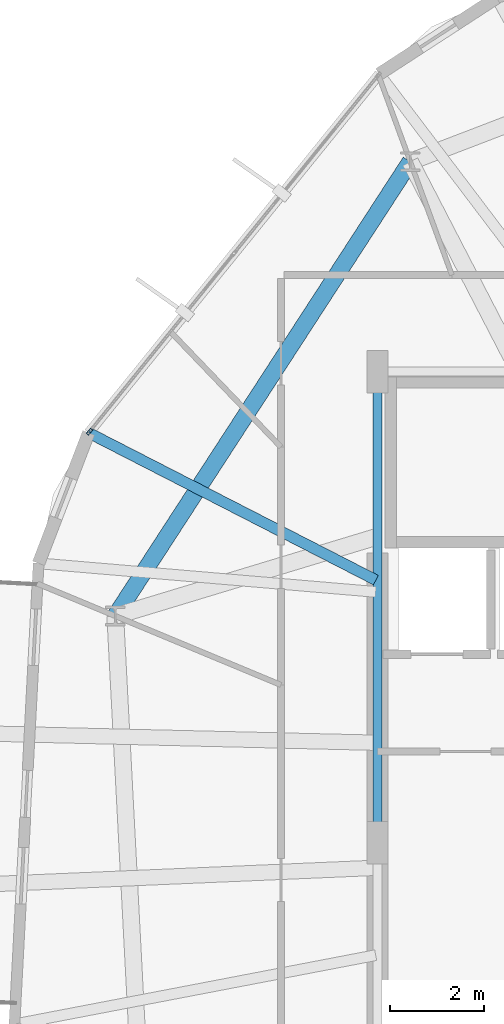
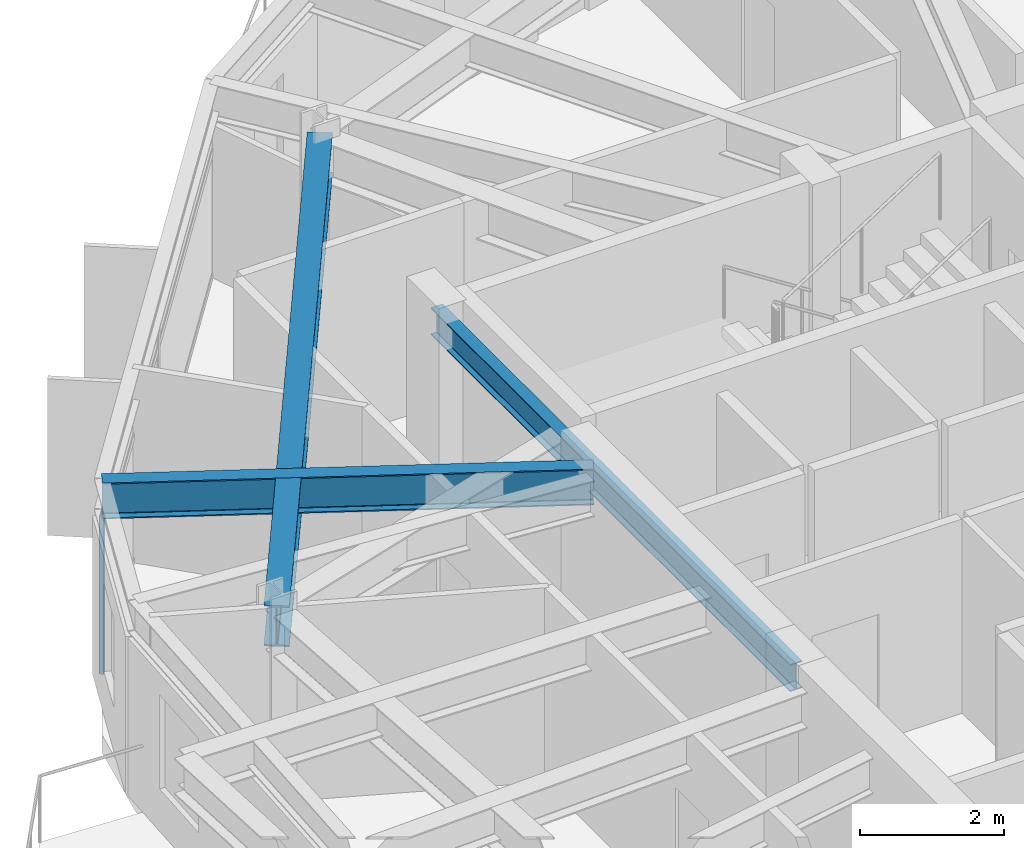
# One storey, part 6 of 29: 3 beams, 1 member, 1 element without a shape of its own.
"""IFC4 building model written with IfcOpenShell, lengths in metres."""

import ifcopenshell
import ifcopenshell.guid

model = None  # the IFC model being written
_history = None  # IfcOwnerHistory: only IFC2X3 demands one
_inside = {}  # id of a spatial element -> (the spatial element, [elements in it])
_under = {}  # id of a project, library or spatial element -> (it, [spatial elements below it])
_declared = {}  # id of a project -> (the project, [libraries it declares])
_typed = {}  # id of a type object -> (the type object, [elements of that type])
_made_of = {}  # id of a material, layer set ... -> (it, [elements and type objects made of it])


def new_model(schema):
    """Start an empty IFC model of exactly this schema.

    Asked for "IFC4X3", IfcOpenShell would pick the latest addendum, in which some entities
    have other attributes; the version numbers below select the first issue.
    IFC2X3 requires an IfcOwnerHistory on every rooted entity: one is made here for all.
    """
    global model, _history
    if schema == "IFC4X3":
        model = ifcopenshell.file(schema_version=(4, 3, 0, 0))
    else:
        model = ifcopenshell.file(schema=schema)
    _inside.clear()
    _under.clear()
    _declared.clear()
    _typed.clear()
    _made_of.clear()
    _history = None
    if model.schema == "IFC2X3":
        org = make("IfcOrganization", Name="unknown")
        user = make(
            "IfcPersonAndOrganization",
            ThePerson=make("IfcPerson", FamilyName="unknown"),
            TheOrganization=org,
        )
        app = make(
            "IfcApplication",
            ApplicationDeveloper=org,
            Version="unknown",
            ApplicationFullName="unknown",
            ApplicationIdentifier="unknown",
        )
        _history = make(
            "IfcOwnerHistory",
            OwningUser=user,
            OwningApplication=app,
            ChangeAction="ADDED",
            CreationDate=0,
        )
    return model


def make(cls, **values):
    """One entity of the class cls with the attributes given. An attribute that is None is left unset."""
    return model.create_entity(
        cls, **{name: value for name, value in values.items() if value is not None}
    )


def rooted(cls, **values):
    """An entity with a GlobalId (a new one), such as an element, a storey or a relation."""
    return make(cls, GlobalId=ifcopenshell.guid.new(), OwnerHistory=_history, **values)


def si_unit(unit_type, name, prefix=None):
    """IfcSIUnit, for example si_unit("LENGTHUNIT", "METRE", prefix="MILLI")."""
    return make("IfcSIUnit", UnitType=unit_type, Prefix=prefix, Name=name)


def assignment(units):
    """IfcUnitAssignment: the units of a project."""
    return None if units is None else make("IfcUnitAssignment", Units=units)


def point(xyz):
    """IfcCartesianPoint."""
    return None if xyz is None else make("IfcCartesianPoint", Coordinates=xyz)


def direction(xyz):
    """IfcDirection."""
    return None if xyz is None else make("IfcDirection", DirectionRatios=xyz)


def frame(location, z_axis=None, x_axis=None):
    """IfcAxis2Placement3D, a coordinate frame: its origin and axes. An axis left out is left unset."""
    return make(
        "IfcAxis2Placement3D",
        Location=point(location),
        Axis=direction(z_axis),
        RefDirection=direction(x_axis),
    )


def frame_2d(location, x_axis=None):
    """IfcAxis2Placement2D, a coordinate frame in the plane: its origin and x axis."""
    return make(
        "IfcAxis2Placement2D", Location=point(location), RefDirection=direction(x_axis)
    )


def origin():
    """The frame at (0, 0, 0) with its axes left unset."""
    return frame((0.0, 0.0, 0.0))


def origin_2d():
    """The frame at (0, 0) in the plane with its x axis left unset."""
    return frame_2d((0.0, 0.0))


def place(relative_to, where):
    """IfcLocalPlacement: puts the frame where relative to a parent placement (None: the world)."""
    return make(
        "IfcLocalPlacement", PlacementRelTo=relative_to, RelativePlacement=where
    )


def context(
    kind, dimensions, precision=None, world=None, true_north=None, identifier=None
):
    """IfcGeometricRepresentationContext, for example the 3D "Model" context."""
    return make(
        "IfcGeometricRepresentationContext",
        ContextIdentifier=identifier,
        ContextType=kind,
        CoordinateSpaceDimension=dimensions,
        Precision=precision,
        WorldCoordinateSystem=world,
        TrueNorth=true_north,
    )


def subcontext(parent, identifier, kind, view, scale=None):
    """IfcGeometricRepresentationSubContext, for example "Body" below "Model"."""
    return make(
        "IfcGeometricRepresentationSubContext",
        ContextIdentifier=identifier,
        ContextType=kind,
        ParentContext=parent,
        TargetScale=scale,
        TargetView=view,
    )


def project(units=None, contexts=None):
    """IfcProject with its units and contexts."""
    return rooted(
        "IfcProject",
        Name="project",
        RepresentationContexts=contexts,
        UnitsInContext=assignment(units),
    )


def spatial(cls, under=None, at=None, **own):
    """A site, building, storey or space (cls), placed at a placement, below another one or the project."""
    s = rooted(cls, ObjectPlacement=at, **own)
    if under is not None:
        _under.setdefault(under.id(), (under, []))[1].append(s)
    return s


def profile(cls, at=None, kind="AREA", **sizes):
    """A parametric profile (cls). Its sizes go by their IFC names, for example OverallWidth=200.0."""
    return make(cls, ProfileType=kind, Position=at, **sizes)


def hollow_rectangle(**sizes):
    """IfcRectangleHollowProfileDef."""
    return profile("IfcRectangleHollowProfileDef", **sizes)


def i_section(**sizes):
    """IfcIShapeProfileDef."""
    return profile("IfcIShapeProfileDef", **sizes)


def extrude(swept, where, along, depth):
    """IfcExtrudedAreaSolid: the profile swept, set in the frame where, extruded along a direction by depth."""
    return make(
        "IfcExtrudedAreaSolid",
        SweptArea=swept,
        Position=where,
        ExtrudedDirection=direction(along),
        Depth=depth,
    )


def shape(context_of_items, identifier, shape_type, items):
    """IfcShapeRepresentation: the items that make up one representation, for example the "Body"."""
    return make(
        "IfcShapeRepresentation",
        ContextOfItems=context_of_items,
        RepresentationIdentifier=identifier,
        RepresentationType=shape_type,
        Items=items,
    )


def material(Name=None, Category=None):
    """IfcMaterial."""
    return make("IfcMaterial", Name=Name, Category=Category)


def layer(
    of_material, thickness, ventilated=None, Name=None, Category=None, Priority=None
):
    """IfcMaterialLayer: one layer of a wall or slab, of a material (None: an air gap)."""
    return make(
        "IfcMaterialLayer",
        Material=of_material,
        LayerThickness=thickness,
        IsVentilated=ventilated,
        Name=Name,
        Category=Category,
        Priority=Priority,
    )


def layer_set(layers, Name=None):
    """IfcMaterialLayerSet."""
    return make("IfcMaterialLayerSet", MaterialLayers=layers, LayerSetName=Name)


def material_profile(
    of_material, cross_section, Name=None, Category=None, Priority=None
):
    """IfcMaterialProfile: a cross section and its material."""
    return make(
        "IfcMaterialProfile",
        Name=Name,
        Material=of_material,
        Profile=cross_section,
        Priority=Priority,
        Category=Category,
    )


def profile_set(profiles, Name=None, composite=None):
    """IfcMaterialProfileSet."""
    return make(
        "IfcMaterialProfileSet",
        Name=Name,
        MaterialProfiles=profiles,
        CompositeProfile=composite,
    )


def made_of(thing, what):
    """Note that an element or type object is made of a material, layer set ...; save() writes the relation."""
    if what is not None:
        _made_of.setdefault(what.id(), (what, []))[1].append(thing)
    return thing


def type_object(cls, material=None, **own):
    """A type object (cls), such as IfcWallType, which elements share."""
    return made_of(rooted(cls, **own), material)


def element(
    cls,
    number,
    at=None,
    inside=None,
    cuts=None,
    type_object=None,
    material=None,
    context=None,
    identifier="Body",
    shape_type=None,
    held_by="IfcProductDefinitionShape",
    body=None,
    shapes=None,
    **own,
):
    """One element of the class cls, such as IfcWall. Its Tag is "e" and its number.

    at: its placement. inside: the storey or other place that contains it. cuts: it is an
    opening in that element (IfcRelVoidsElement). A single representation is given by context,
    identifier, shape_type and body (its items); several are given by shapes. held_by: the class
    of the entity that holds the representations. save() writes the other relations.
    """
    e = rooted(cls, Tag="e%d" % number, ObjectPlacement=at, **own)
    if body is not None:
        shapes = [shape(context, identifier, shape_type, body)]
    if shapes is not None:
        e.Representation = make(held_by, Representations=shapes)
    if inside is not None:
        _inside.setdefault(inside.id(), (inside, []))[1].append(e)
    if cuts is not None:
        rooted(
            "IfcRelVoidsElement", RelatingBuildingElement=cuts, RelatedOpeningElement=e
        )
    if type_object is not None:
        _typed.setdefault(type_object.id(), (type_object, []))[1].append(e)
    return made_of(e, material)


def aggregate(whole, parts):
    """IfcRelAggregates: a whole, such as a stair, and the parts it consists of."""
    return rooted("IfcRelAggregates", RelatingObject=whole, RelatedObjects=parts)


def save(model, path):
    """Write the relations noted so far, then the file.

    IfcRelAggregates (storeys below a building ...), IfcRelContainedInSpatialStructure (elements
    in a storey), IfcRelDefinesByType, IfcRelAssociatesMaterial and IfcRelDeclares: one each for
    every whole, place, type object, material and project.
    """
    for whole, parts in _under.values():
        aggregate(whole, parts)
    for where, things in _inside.values():
        rooted(
            "IfcRelContainedInSpatialStructure",
            RelatedElements=things,
            RelatingStructure=where,
        )
    for kind, things in _typed.values():
        rooted("IfcRelDefinesByType", RelatedObjects=things, RelatingType=kind)
    for what, things in _made_of.values():
        rooted("IfcRelAssociatesMaterial", RelatedObjects=things, RelatingMaterial=what)
    for by, libraries in _declared.values():
        rooted("IfcRelDeclares", RelatingContext=by, RelatedDefinitions=libraries)
    model.write(path)


model = new_model("IFC4")

# Units and contexts
model_context = context("Model", 3, precision=1e-05, world=origin(), true_north=direction((0.0, 1.0)))
body_context = subcontext(model_context, "Body", "Model", "MODEL_VIEW")
ifc_project = project(units=[si_unit("LENGTHUNIT", "METRE"), si_unit("AREAUNIT", "SQUARE_METRE"), si_unit("VOLUMEUNIT", "CUBIC_METRE"), si_unit("PLANEANGLEUNIT", "RADIAN"), si_unit("MASSUNIT", "GRAM", prefix="KILO")], contexts=[model_context])

# Site, building, storey
site_placement = place(None, origin())
site = spatial("IfcSite", under=ifc_project, at=site_placement, CompositionType="ELEMENT")
building_placement = place(site_placement, origin())
building = spatial("IfcBuilding", under=site, at=building_placement, Name="Soratama Intermodal Tower", CompositionType="ELEMENT")
storey_placement = place(building_placement, frame((0.0, 0.0, 219.39990234375)))
storey = spatial("IfcBuildingStorey", under=building, at=storey_placement, Name="L55", CompositionType="ELEMENT", Elevation=219.39990234375)

# Beams
ifc_material_1 = material(Name="Structural steel ASTM A992 Grade 50", Category="steel")
ifc_material_profile_1 = material_profile(ifc_material_1, i_section(OverallWidth=0.19091796875, OverallDepth=0.4599609375, WebThickness=0.010009765625, FlangeThickness=0.01611328125, FilletRadius=0.010986328125, at=origin_2d()), Name="W18X55")
ifc_profile_set_1 = profile_set([ifc_material_profile_1], Name="Structural steel ASTM A992 Grade 50")
beam_type_1 = type_object("IfcBeamType", Name="BM-FLR-W18X55", PredefinedType="BEAM", material=ifc_profile_set_1)
beam_1_placement = place(storey_placement, frame((32.60009765625, 35.0, 3.070068359375), z_axis=(0.0, -1.0, 0.0), x_axis=(1.0, 0.0, 0.0)))
element("IfcBeam", 1, at=beam_1_placement, inside=storey, type_object=beam_type_1, Name="BM-L55-CRING-08", PredefinedType="BEAM", context=body_context, shape_type="SweptSolid", body=[
    extrude(i_section(OverallWidth=0.19091796875, OverallDepth=0.4599609375, WebThickness=0.010009765625, FlangeThickness=0.01611328125, FilletRadius=0.010986328125, at=origin_2d()), origin(), (0.0, 0.0, 1.0), 10.0),
])
ifc_material_2 = material(Name="Structural steel ASTM A992 Grade 50", Category="steel")
ifc_material_profile_2 = material_profile(ifc_material_2, i_section(OverallWidth=0.35498046875, OverallDepth=0.695068359375, WebThickness=0.015380859375, FlangeThickness=0.02490234375, FilletRadius=0.01611328125, at=origin_2d()), Name="W27X146")
ifc_profile_set_2 = profile_set([ifc_material_profile_2], Name="Structural steel ASTM A992 Grade 50")
beam_type_2 = type_object("IfcBeamType", Name="BM-RING-W27X146", PredefinedType="BEAM", material=ifc_profile_set_2)
beam_2_placement = place(storey_placement, frame((33.294921875, 39.455078125, 2.95263671875), z_axis=(-0.544637453764, -0.83867159482, 0.0), x_axis=(0.83867159482, -0.544637453764, 0.0)))
element("IfcBeam", 2, at=beam_2_placement, inside=storey, type_object=beam_type_2, Name="BM-L55-RING-04", PredefinedType="BEAM", context=body_context, shape_type="SweptSolid", body=[
    extrude(i_section(OverallWidth=0.35498046875, OverallDepth=0.695068359375, WebThickness=0.015380859375, FlangeThickness=0.02490234375, FilletRadius=0.01611328125, at=origin_2d()), origin(), (0.0, 0.0, 1.0), 11.49560546875),
])
ifc_material_3 = material(Name="Structural steel ASTM A992 Grade 50", Category="steel")
ifc_material_profile_3 = material_profile(ifc_material_3, i_section(OverallWidth=0.22900390625, OverallDepth=0.612060546875, WebThickness=0.011962890625, FlangeThickness=0.01953125, FilletRadius=0.012939453125, at=origin_2d()), Name="W24X84")
ifc_profile_set_3 = profile_set([ifc_material_profile_3], Name="Structural steel ASTM A992 Grade 50")
beam_type_3 = type_object("IfcBeamType", Name="BM-TIE-W24X84", PredefinedType="BEAM", material=ifc_profile_set_3)
beam_3_placement = place(storey_placement, frame((32.56396484375, 30.575927734375, 2.994140625), z_axis=(-0.88976698475, 0.456415066413, 0.0), x_axis=(-0.456415066413, -0.88976698475, 0.0)))
element("IfcBeam", 3, at=beam_3_placement, inside=storey, type_object=beam_type_3, Name="BM-L55-TIE1-03", PredefinedType="BEAM", context=body_context, shape_type="SweptSolid", body=[
    extrude(i_section(OverallWidth=0.22900390625, OverallDepth=0.612060546875, WebThickness=0.011962890625, FlangeThickness=0.01953125, FilletRadius=0.012939453125, at=origin_2d()), origin(), (0.0, 0.0, 1.0), 6.848876953125),
])

# Curtain wall, member
ifc_material_4 = material(Name="Double-glazed aluminium curtain wall", Category="aluminium")
ifc_layer = layer(ifc_material_4, 0.159912109375)
ifc_layer_set = layer_set([ifc_layer], Name="Double-glazed aluminium curtain wall")
curtain_wall_type = type_object("IfcCurtainWallType", Name="CW-SYS-5", PredefinedType="NOTDEFINED", material=ifc_layer_set)
curtain_wall_placement = place(storey_placement, origin())
curtain_wall = element("IfcCurtainWall", 4, at=curtain_wall_placement, inside=storey, type_object=curtain_wall_type, Name="L55 Faceted Curtain Wall F03", PredefinedType="NOTDEFINED")
ifc_material_5 = material(Name="Anodised aluminium AA 6063-T6", Category="aluminium")
ifc_material_profile_4 = material_profile(ifc_material_5, hollow_rectangle(XDim=0.06494140625, YDim=0.139892578125, WallThickness=0.0048828125, InnerFilletRadius=0.0048828125, OuterFilletRadius=0.010009765625, at=origin_2d()), Name="CWM140X65X5")
ifc_profile_set_4 = profile_set([ifc_material_profile_4], Name="Anodised aluminium AA 6063-T6")
member_type = type_object("IfcMemberType", Name="MT-CWM-5", PredefinedType="MULLION", material=ifc_profile_set_4)
member_placement = place(storey_placement, frame((26.488525390625, 33.72509765625, 0.0), z_axis=(0.0, 0.0, 1.0), x_axis=(0.777152878151, -0.629311849549, 0.0)))
member = element("IfcMember", 5, at=member_placement, type_object=member_type, Name="CW-5 mullion 3", PredefinedType="MULLION", context=body_context, shape_type="SweptSolid", body=[
    extrude(hollow_rectangle(XDim=0.06494140625, YDim=0.139892578125, WallThickness=0.0048828125, InnerFilletRadius=0.0048828125, OuterFilletRadius=0.010009765625, at=origin_2d()), origin(), (0.0, 0.0, 1.0), 2.67919921875),
])
aggregate(curtain_wall, [member])

save(model, "model.ifc")
